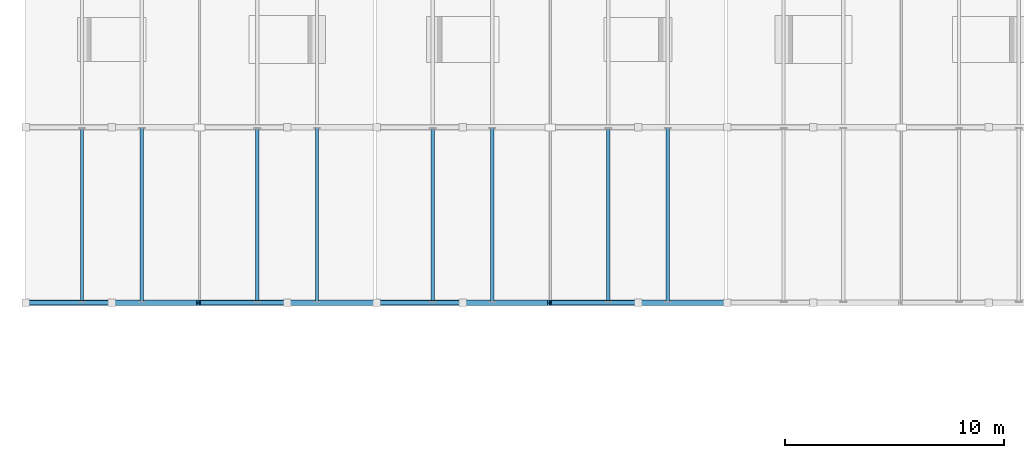
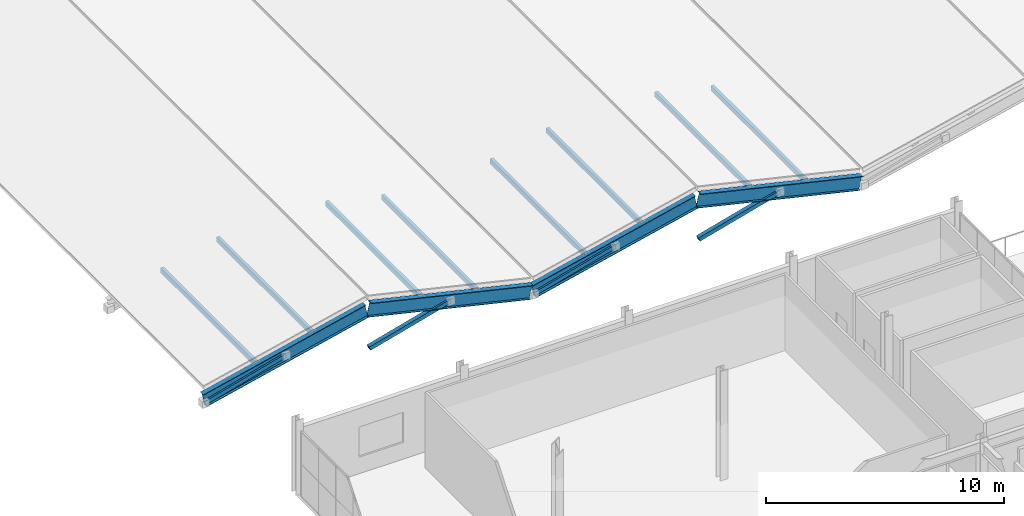
# One storey, part 8 of 67: 12 members, 4 beams.
"""IFC4 building model written with IfcOpenShell, lengths in metres."""

from ifc_helpers import new_model, si_unit, direction, frame, origin, origin_2d, place, context, subcontext, project, spatial, hollow_rectangle, i_section, extrude, material, material_profile, profile_set, type_object, element, save


model = new_model("IFC4")

# Units and contexts
model_context = context("Model", 3, precision=1e-05, world=origin(), true_north=direction((0.0, 1.0)))
body_context = subcontext(model_context, "Body", "Model", "MODEL_VIEW")
ifc_project = project(units=[si_unit("LENGTHUNIT", "METRE"), si_unit("AREAUNIT", "SQUARE_METRE"), si_unit("VOLUMEUNIT", "CUBIC_METRE"), si_unit("PLANEANGLEUNIT", "RADIAN"), si_unit("MASSUNIT", "GRAM", prefix="KILO")], contexts=[model_context])

# Site, building, storey
site_placement = place(None, origin())
site = spatial("IfcSite", under=ifc_project, at=site_placement, CompositionType="ELEMENT")
building_placement = place(site_placement, origin())
building = spatial("IfcBuilding", under=site, at=building_placement, Name="Drelvath Fold Interchange", CompositionType="ELEMENT")
storey_placement = place(building_placement, frame((0.0, 0.0, 15.60009765625)))
storey = spatial("IfcBuildingStorey", under=building, at=storey_placement, Name="L03", CompositionType="ELEMENT", Elevation=15.60009765625)

# Beams
ifc_material_1 = material(Name="Steel ASTM A992 Grade 50", Category="steel")
ifc_material_profile_1 = material_profile(ifc_material_1, i_section(OverallWidth=0.256103515625, OverallDepth=0.693115234375, WebThickness=0.014404296875, FlangeThickness=0.023681640625, at=origin_2d()), Name="W27X114")
ifc_profile_set_1 = profile_set([ifc_material_profile_1], Name="Steel ASTM A992 Grade 50")
beam_type = type_object("IfcBeamType", Name="BM-W27X114", PredefinedType="BEAM", material=ifc_profile_set_1)
for number, where, z_axis, x_axis, name in (
    (1, (4.050048828125, 59.0, -0.10009765625), (0.973655780122, 0.0, 0.228022853754), (0.0, 1.0, 0.0), "Folded-plate roof truss rafter"),
    (2, (12.050048828125, 59.0, 1.75), (0.973655780122, 0.0, -0.228022853754), (0.0, 1.0, 0.0), "Folded-plate roof truss rafter"),
    (3, (20.050048828125, 59.0, -0.10009765625), (0.973655780122, 0.0, 0.228022853754), (0.0, 1.0, 0.0), "Folded-plate roof truss rafter"),
    (4, (28.050048828125, 59.0, 1.75), (0.973655780122, 0.0, -0.228022853754), (0.0, 1.0, 0.0), "Folded-plate roof truss rafter"),
):
    element("IfcBeam", number, at=place(storey_placement, frame(where, z_axis=z_axis, x_axis=x_axis)), inside=storey, type_object=beam_type, Name=name, PredefinedType="BEAM", context=body_context, shape_type="SweptSolid", body=[
        extrude(i_section(OverallWidth=0.256103515625, OverallDepth=0.693115234375, WebThickness=0.014404296875, FlangeThickness=0.023681640625, at=origin_2d()), origin(), (0.0, 0.0, 1.0), 8.11376953125),
    ])

# Members
ifc_material_2 = material(Name="Steel ASTM A500 Grade C", Category="steel")
ifc_material_profile_2 = material_profile(ifc_material_2, hollow_rectangle(XDim=0.202880859375, YDim=0.202880859375, WallThickness=0.0087890625, at=origin_2d()), Name="HSS8X8X3/8")
ifc_profile_set_2 = profile_set([ifc_material_profile_2], Name="Steel ASTM A500 Grade C")
member_type_1 = type_object("IfcMemberType", Name="FP-WEB203", PredefinedType="BRACE", material=ifc_profile_set_2)
for number, where, z_axis, x_axis, name in (
    (5, (4.080078125, 59.0, -0.25), (0.964395563634, 0.0, 0.264463980237), (0.0, 1.0, 0.0), "L03 Folded-plate roof truss web brace FP-WEB203"),
    (6, (12.080078125, 59.0, -0.25), (0.964395563634, 0.0, 0.264463980237), (0.0, 1.0, 0.0), "L03 Folded-plate roof truss web brace FP-WEB203"),
    (7, (20.080078125, 59.0, -0.25), (0.964395563634, 0.0, 0.264463980237), (0.0, 1.0, 0.0), "L03 Folded-plate roof truss web brace FP-WEB203"),
    (8, (28.080078125, 59.0, -0.25), (0.964395563634, 0.0, 0.264463980237), (0.0, 1.0, 0.0), "L03 Folded-plate roof truss web brace FP-WEB203"),
):
    element("IfcMember", number, at=place(storey_placement, frame(where, z_axis=z_axis, x_axis=x_axis)), inside=storey, type_object=member_type_1, Name=name, PredefinedType="BRACE", context=body_context, shape_type="SweptSolid", body=[
        extrude(hollow_rectangle(XDim=0.202880859375, YDim=0.202880859375, WallThickness=0.0087890625, at=origin_2d()), origin(), (0.0, 0.0, 1.0), 4.064697265625),
    ])
ifc_material_profile_3 = material_profile(ifc_material_2, hollow_rectangle(XDim=0.152099609375, YDim=0.25390625, WallThickness=0.0087890625, at=origin_2d()), Name="HSS10X6X3/8")
ifc_profile_set_3 = profile_set([ifc_material_profile_3], Name="Steel ASTM A500 Grade C")
member_type_2 = type_object("IfcMemberType", Name="PR-HSS254", PredefinedType="PURLIN", material=ifc_profile_set_3)
for number, where, z_axis, x_axis, name in (
    (9, (6.639892578125, 59.0400390625, 0.827880859375), (0.0, 1.0, 0.0), (-1.0, 0.0, 0.0), "L03 Folded-plate roof purlin PR-HSS254"),
    (10, (9.360107421875, 59.0400390625, 1.456787109375), (0.0, 1.0, 0.0), (-1.0, 0.0, 0.0), "L03 Folded-plate roof purlin PR-HSS254"),
    (11, (14.639892578125, 59.0400390625, 1.456787109375), (0.0, 1.0, 0.0), (-1.0, 0.0, 0.0), "L03 Folded-plate roof purlin PR-HSS254"),
    (12, (17.360107421875, 59.0400390625, 0.827880859375), (0.0, 1.0, 0.0), (-1.0, 0.0, 0.0), "L03 Folded-plate roof purlin PR-HSS254"),
    (13, (22.639892578125, 59.0400390625, 0.827880859375), (0.0, 1.0, 0.0), (-1.0, 0.0, 0.0), "L03 Folded-plate roof purlin PR-HSS254"),
    (14, (25.360107421875, 59.0400390625, 1.456787109375), (0.0, 1.0, 0.0), (-1.0, 0.0, 0.0), "L03 Folded-plate roof purlin PR-HSS254"),
    (15, (30.639892578125, 59.0400390625, 1.456787109375), (0.0, 1.0, 0.0), (-1.0, 0.0, 0.0), "L03 Folded-plate roof purlin PR-HSS254"),
    (16, (33.360107421875, 59.0400390625, 0.827880859375), (0.0, 1.0, 0.0), (-1.0, 0.0, 0.0), "L03 Folded-plate roof purlin PR-HSS254"),
):
    element("IfcMember", number, at=place(storey_placement, frame(where, z_axis=z_axis, x_axis=x_axis)), inside=storey, type_object=member_type_2, Name=name, PredefinedType="PURLIN", context=body_context, shape_type="SweptSolid", body=[
        extrude(hollow_rectangle(XDim=0.152099609375, YDim=0.25390625, WallThickness=0.0087890625, at=origin_2d()), origin(), (0.0, 0.0, 1.0), 7.919921875),
    ])

save(model, "model.ifc")
